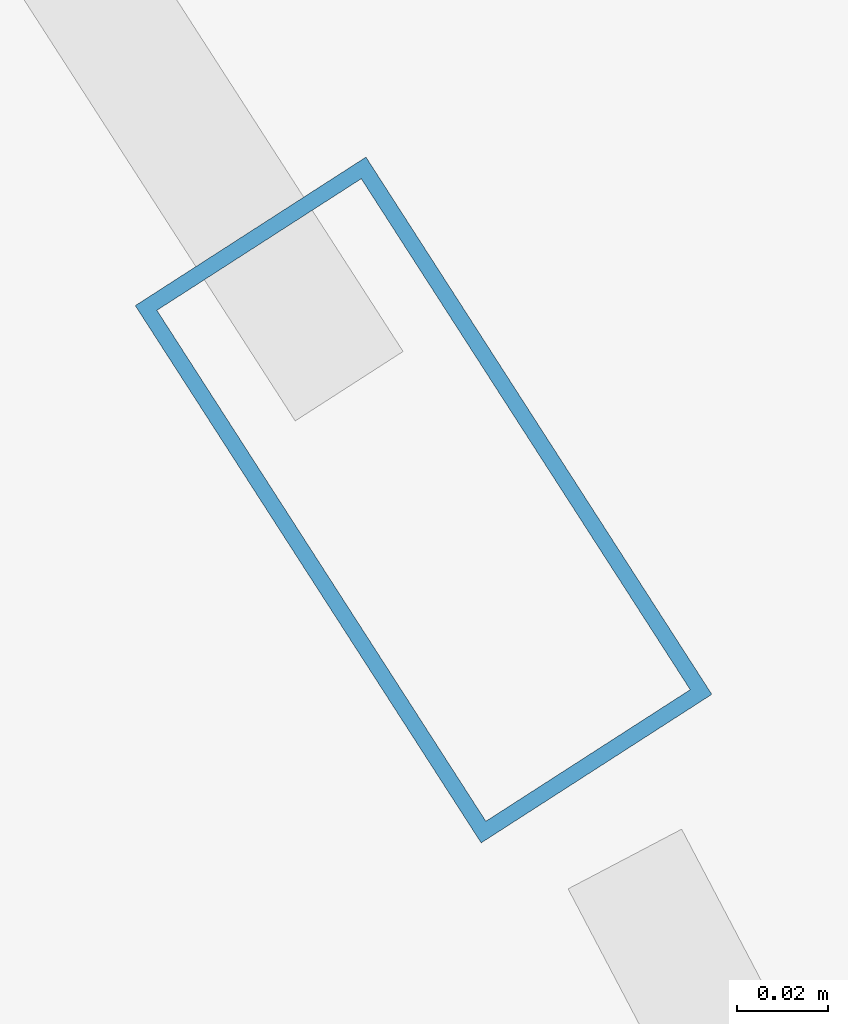
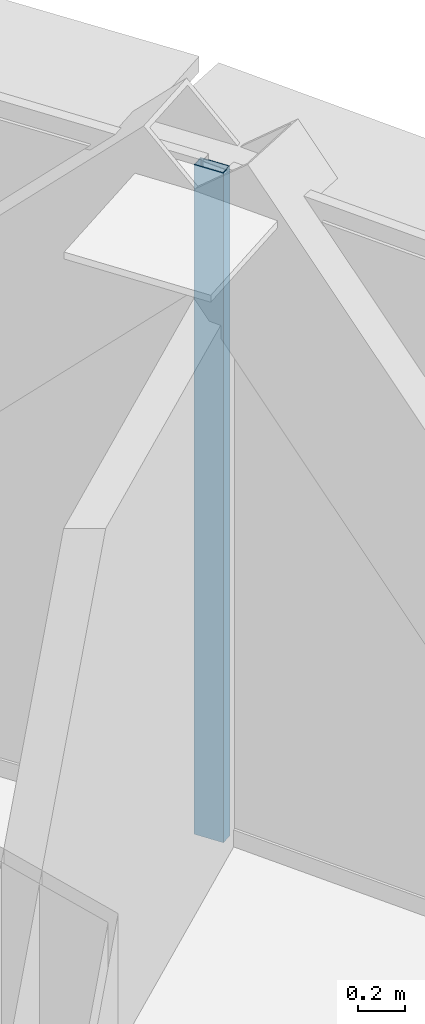
# One storey, part 18 of 35: 1 member, 1 element without a shape of its own.
"""IFC4 building model written with IfcOpenShell, lengths in metres."""

import ifcopenshell
import ifcopenshell.guid

model = None  # the IFC model being written
_history = None  # IfcOwnerHistory: only IFC2X3 demands one
_inside = {}  # id of a spatial element -> (the spatial element, [elements in it])
_under = {}  # id of a project, library or spatial element -> (it, [spatial elements below it])
_declared = {}  # id of a project -> (the project, [libraries it declares])
_typed = {}  # id of a type object -> (the type object, [elements of that type])
_made_of = {}  # id of a material, layer set ... -> (it, [elements and type objects made of it])


def new_model(schema):
    """Start an empty IFC model of exactly this schema.

    Asked for "IFC4X3", IfcOpenShell would pick the latest addendum, in which some entities
    have other attributes; the version numbers below select the first issue.
    IFC2X3 requires an IfcOwnerHistory on every rooted entity: one is made here for all.
    """
    global model, _history
    if schema == "IFC4X3":
        model = ifcopenshell.file(schema_version=(4, 3, 0, 0))
    else:
        model = ifcopenshell.file(schema=schema)
    _inside.clear()
    _under.clear()
    _declared.clear()
    _typed.clear()
    _made_of.clear()
    _history = None
    if model.schema == "IFC2X3":
        org = make("IfcOrganization", Name="unknown")
        user = make(
            "IfcPersonAndOrganization",
            ThePerson=make("IfcPerson", FamilyName="unknown"),
            TheOrganization=org,
        )
        app = make(
            "IfcApplication",
            ApplicationDeveloper=org,
            Version="unknown",
            ApplicationFullName="unknown",
            ApplicationIdentifier="unknown",
        )
        _history = make(
            "IfcOwnerHistory",
            OwningUser=user,
            OwningApplication=app,
            ChangeAction="ADDED",
            CreationDate=0,
        )
    return model


def make(cls, **values):
    """One entity of the class cls with the attributes given. An attribute that is None is left unset."""
    return model.create_entity(
        cls, **{name: value for name, value in values.items() if value is not None}
    )


def rooted(cls, **values):
    """An entity with a GlobalId (a new one), such as an element, a storey or a relation."""
    return make(cls, GlobalId=ifcopenshell.guid.new(), OwnerHistory=_history, **values)


def si_unit(unit_type, name, prefix=None):
    """IfcSIUnit, for example si_unit("LENGTHUNIT", "METRE", prefix="MILLI")."""
    return make("IfcSIUnit", UnitType=unit_type, Prefix=prefix, Name=name)


def assignment(units):
    """IfcUnitAssignment: the units of a project."""
    return None if units is None else make("IfcUnitAssignment", Units=units)


def point(xyz):
    """IfcCartesianPoint."""
    return None if xyz is None else make("IfcCartesianPoint", Coordinates=xyz)


def direction(xyz):
    """IfcDirection."""
    return None if xyz is None else make("IfcDirection", DirectionRatios=xyz)


def frame(location, z_axis=None, x_axis=None):
    """IfcAxis2Placement3D, a coordinate frame: its origin and axes. An axis left out is left unset."""
    return make(
        "IfcAxis2Placement3D",
        Location=point(location),
        Axis=direction(z_axis),
        RefDirection=direction(x_axis),
    )


def frame_2d(location, x_axis=None):
    """IfcAxis2Placement2D, a coordinate frame in the plane: its origin and x axis."""
    return make(
        "IfcAxis2Placement2D", Location=point(location), RefDirection=direction(x_axis)
    )


def origin():
    """The frame at (0, 0, 0) with its axes left unset."""
    return frame((0.0, 0.0, 0.0))


def origin_2d():
    """The frame at (0, 0) in the plane with its x axis left unset."""
    return frame_2d((0.0, 0.0))


def place(relative_to, where):
    """IfcLocalPlacement: puts the frame where relative to a parent placement (None: the world)."""
    return make(
        "IfcLocalPlacement", PlacementRelTo=relative_to, RelativePlacement=where
    )


def context(
    kind, dimensions, precision=None, world=None, true_north=None, identifier=None
):
    """IfcGeometricRepresentationContext, for example the 3D "Model" context."""
    return make(
        "IfcGeometricRepresentationContext",
        ContextIdentifier=identifier,
        ContextType=kind,
        CoordinateSpaceDimension=dimensions,
        Precision=precision,
        WorldCoordinateSystem=world,
        TrueNorth=true_north,
    )


def subcontext(parent, identifier, kind, view, scale=None):
    """IfcGeometricRepresentationSubContext, for example "Body" below "Model"."""
    return make(
        "IfcGeometricRepresentationSubContext",
        ContextIdentifier=identifier,
        ContextType=kind,
        ParentContext=parent,
        TargetScale=scale,
        TargetView=view,
    )


def project(units=None, contexts=None):
    """IfcProject with its units and contexts."""
    return rooted(
        "IfcProject",
        Name="project",
        RepresentationContexts=contexts,
        UnitsInContext=assignment(units),
    )


def spatial(cls, under=None, at=None, **own):
    """A site, building, storey or space (cls), placed at a placement, below another one or the project."""
    s = rooted(cls, ObjectPlacement=at, **own)
    if under is not None:
        _under.setdefault(under.id(), (under, []))[1].append(s)
    return s


def profile(cls, at=None, kind="AREA", **sizes):
    """A parametric profile (cls). Its sizes go by their IFC names, for example OverallWidth=200.0."""
    return make(cls, ProfileType=kind, Position=at, **sizes)


def hollow_rectangle(**sizes):
    """IfcRectangleHollowProfileDef."""
    return profile("IfcRectangleHollowProfileDef", **sizes)


def extrude(swept, where, along, depth):
    """IfcExtrudedAreaSolid: the profile swept, set in the frame where, extruded along a direction by depth."""
    return make(
        "IfcExtrudedAreaSolid",
        SweptArea=swept,
        Position=where,
        ExtrudedDirection=direction(along),
        Depth=depth,
    )


def shape(context_of_items, identifier, shape_type, items):
    """IfcShapeRepresentation: the items that make up one representation, for example the "Body"."""
    return make(
        "IfcShapeRepresentation",
        ContextOfItems=context_of_items,
        RepresentationIdentifier=identifier,
        RepresentationType=shape_type,
        Items=items,
    )


def source(mapping_origin, context_of_items, identifier, shape_type, items):
    """IfcRepresentationMap: a shape defined once, which mapped items show again and again."""
    return make(
        "IfcRepresentationMap",
        MappingOrigin=mapping_origin,
        MappedRepresentation=shape(context_of_items, identifier, shape_type, items),
    )


def transform(
    local_origin,
    x_axis=None,
    y_axis=None,
    z_axis=None,
    scale=None,
    scale2=None,
    scale3=None,
    uniform=True,
):
    """IfcCartesianTransformationOperator3D, or its non-uniform kind. x_axis, y_axis, z_axis: its Axis1, 2, 3."""
    if uniform:
        return make(
            "IfcCartesianTransformationOperator3D",
            Axis1=direction(x_axis),
            Axis2=direction(y_axis),
            LocalOrigin=point(local_origin),
            Scale=scale,
            Axis3=direction(z_axis),
        )
    return make(
        "IfcCartesianTransformationOperator3DnonUniform",
        Axis1=direction(x_axis),
        Axis2=direction(y_axis),
        LocalOrigin=point(local_origin),
        Scale=scale,
        Axis3=direction(z_axis),
        Scale2=scale2,
        Scale3=scale3,
    )


def mapped(mapping_source, mapping_target):
    """IfcMappedItem: shows the shape of a source again, moved by a transform."""
    return make(
        "IfcMappedItem", MappingSource=mapping_source, MappingTarget=mapping_target
    )


def material(Name=None, Category=None):
    """IfcMaterial."""
    return make("IfcMaterial", Name=Name, Category=Category)


def layer(
    of_material, thickness, ventilated=None, Name=None, Category=None, Priority=None
):
    """IfcMaterialLayer: one layer of a wall or slab, of a material (None: an air gap)."""
    return make(
        "IfcMaterialLayer",
        Material=of_material,
        LayerThickness=thickness,
        IsVentilated=ventilated,
        Name=Name,
        Category=Category,
        Priority=Priority,
    )


def layer_set(layers, Name=None):
    """IfcMaterialLayerSet."""
    return make("IfcMaterialLayerSet", MaterialLayers=layers, LayerSetName=Name)


def material_profile(
    of_material, cross_section, Name=None, Category=None, Priority=None
):
    """IfcMaterialProfile: a cross section and its material."""
    return make(
        "IfcMaterialProfile",
        Name=Name,
        Material=of_material,
        Profile=cross_section,
        Priority=Priority,
        Category=Category,
    )


def profile_set(profiles, Name=None, composite=None):
    """IfcMaterialProfileSet."""
    return make(
        "IfcMaterialProfileSet",
        Name=Name,
        MaterialProfiles=profiles,
        CompositeProfile=composite,
    )


def made_of(thing, what):
    """Note that an element or type object is made of a material, layer set ...; save() writes the relation."""
    if what is not None:
        _made_of.setdefault(what.id(), (what, []))[1].append(thing)
    return thing


def type_object(cls, material=None, **own):
    """A type object (cls), such as IfcWallType, which elements share."""
    return made_of(rooted(cls, **own), material)


def element(
    cls,
    number,
    at=None,
    inside=None,
    cuts=None,
    type_object=None,
    material=None,
    context=None,
    identifier="Body",
    shape_type=None,
    held_by="IfcProductDefinitionShape",
    body=None,
    shapes=None,
    **own,
):
    """One element of the class cls, such as IfcWall. Its Tag is "e" and its number.

    at: its placement. inside: the storey or other place that contains it. cuts: it is an
    opening in that element (IfcRelVoidsElement). A single representation is given by context,
    identifier, shape_type and body (its items); several are given by shapes. held_by: the class
    of the entity that holds the representations. save() writes the other relations.
    """
    e = rooted(cls, Tag="e%d" % number, ObjectPlacement=at, **own)
    if body is not None:
        shapes = [shape(context, identifier, shape_type, body)]
    if shapes is not None:
        e.Representation = make(held_by, Representations=shapes)
    if inside is not None:
        _inside.setdefault(inside.id(), (inside, []))[1].append(e)
    if cuts is not None:
        rooted(
            "IfcRelVoidsElement", RelatingBuildingElement=cuts, RelatedOpeningElement=e
        )
    if type_object is not None:
        _typed.setdefault(type_object.id(), (type_object, []))[1].append(e)
    return made_of(e, material)


def aggregate(whole, parts):
    """IfcRelAggregates: a whole, such as a stair, and the parts it consists of."""
    return rooted("IfcRelAggregates", RelatingObject=whole, RelatedObjects=parts)


def save(model, path):
    """Write the relations noted so far, then the file.

    IfcRelAggregates (storeys below a building ...), IfcRelContainedInSpatialStructure (elements
    in a storey), IfcRelDefinesByType, IfcRelAssociatesMaterial and IfcRelDeclares: one each for
    every whole, place, type object, material and project.
    """
    for whole, parts in _under.values():
        aggregate(whole, parts)
    for where, things in _inside.values():
        rooted(
            "IfcRelContainedInSpatialStructure",
            RelatedElements=things,
            RelatingStructure=where,
        )
    for kind, things in _typed.values():
        rooted("IfcRelDefinesByType", RelatedObjects=things, RelatingType=kind)
    for what, things in _made_of.values():
        rooted("IfcRelAssociatesMaterial", RelatedObjects=things, RelatingMaterial=what)
    for by, libraries in _declared.values():
        rooted("IfcRelDeclares", RelatingContext=by, RelatedDefinitions=libraries)
    model.write(path)


model = new_model("IFC4")

# Units and contexts
model_context = context("Model", 3, precision=1e-05, world=origin(), true_north=direction((0.0, 1.0)))
body_context = subcontext(model_context, "Body", "Model", "MODEL_VIEW")
ifc_project = project(units=[si_unit("LENGTHUNIT", "METRE"), si_unit("AREAUNIT", "SQUARE_METRE"), si_unit("VOLUMEUNIT", "CUBIC_METRE"), si_unit("PLANEANGLEUNIT", "RADIAN"), si_unit("MASSUNIT", "GRAM", prefix="KILO"), si_unit("THERMODYNAMICTEMPERATUREUNIT", "KELVIN"), si_unit("POWERUNIT", "WATT")], contexts=[model_context])

# Site, building, storey
site_placement = place(None, origin())
site = spatial("IfcSite", under=ifc_project, at=site_placement, CompositionType="ELEMENT")
building_placement = place(site_placement, origin())
building = spatial("IfcBuilding", under=site, at=building_placement, Name="Yunzhuo Pagoda Commons", CompositionType="ELEMENT")
storey_placement = place(building_placement, frame((0.0, 0.0, 237.070068359375)))
storey = spatial("IfcBuildingStorey", under=building, at=storey_placement, Name="L59", CompositionType="ELEMENT", Elevation=237.070068359375)

# Curtain wall, member
ifc_material = material(Name="Anodized aluminium 6063-T6", Category="aluminium")
ifc_layer = layer(ifc_material, 0.139892578125)
ifc_layer_set = layer_set([ifc_layer], Name="Anodized aluminium 6063-T6")
curtain_wall_type = type_object("IfcCurtainWallType", Name="CW-HI High-Zone Ribbon Curtain Wall", PredefinedType="NOTDEFINED", material=ifc_layer_set)
curtain_wall_placement = place(storey_placement, origin())
curtain_wall = element("IfcCurtainWall", 1, at=curtain_wall_placement, inside=storey, type_object=curtain_wall_type, Name="L59 curtain wall CW-L59-F2B4", PredefinedType="NOTDEFINED")
ifc_material_profile = material_profile(ifc_material, hollow_rectangle(XDim=0.06005859375, YDim=0.139892578125, WallThickness=0.00341796875, at=origin_2d()), Name="Anodized aluminium 6063-T6")
ifc_profile_set = profile_set([ifc_material_profile], Name="Anodized aluminium 6063-T6")
member_type = type_object("IfcMemberType", Name="CW-HI-M Mullion RHS 140x60x3.5", PredefinedType="MULLION", material=ifc_profile_set)
shared_shape = source(origin(), body_context, "Body", "SweptSolid", [
    extrude(hollow_rectangle(XDim=0.06005859375, YDim=0.139892578125, WallThickness=0.00341796875, at=origin_2d()), origin(), (0.0, 0.0, 1.0), 3.469970703125),
])
member_placement = place(storey_placement, frame((70.9052734375, 54.364013671875, 0.0), z_axis=(0.0, 0.0, 1.0), x_axis=(-0.840807373352, -0.541334426133, 0.0)))
member = element("IfcMember", 2, at=member_placement, type_object=member_type, Name="CW mullion 1", PredefinedType="MULLION", context=body_context, shape_type="MappedRepresentation", body=[
    mapped(shared_shape, transform((0.0, 0.0, 0.0), scale=1.0)),
])
aggregate(curtain_wall, [member])

save(model, "model.ifc")
